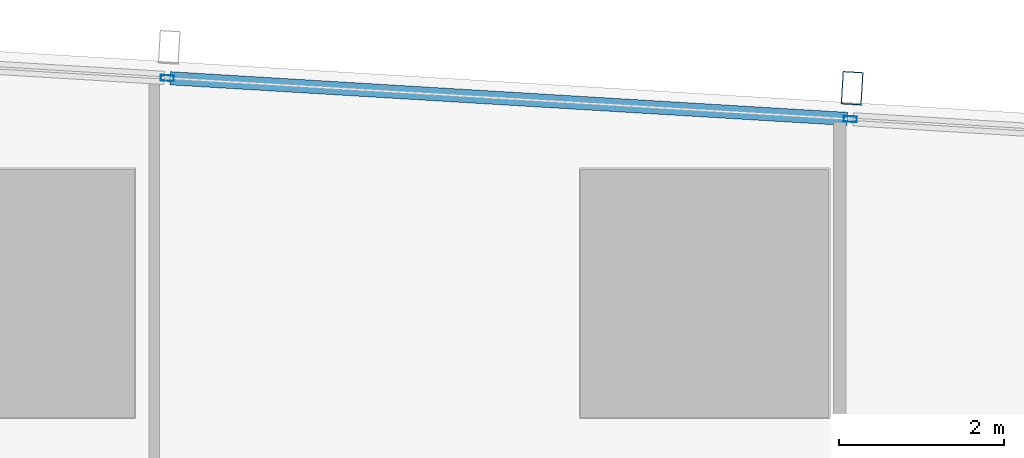
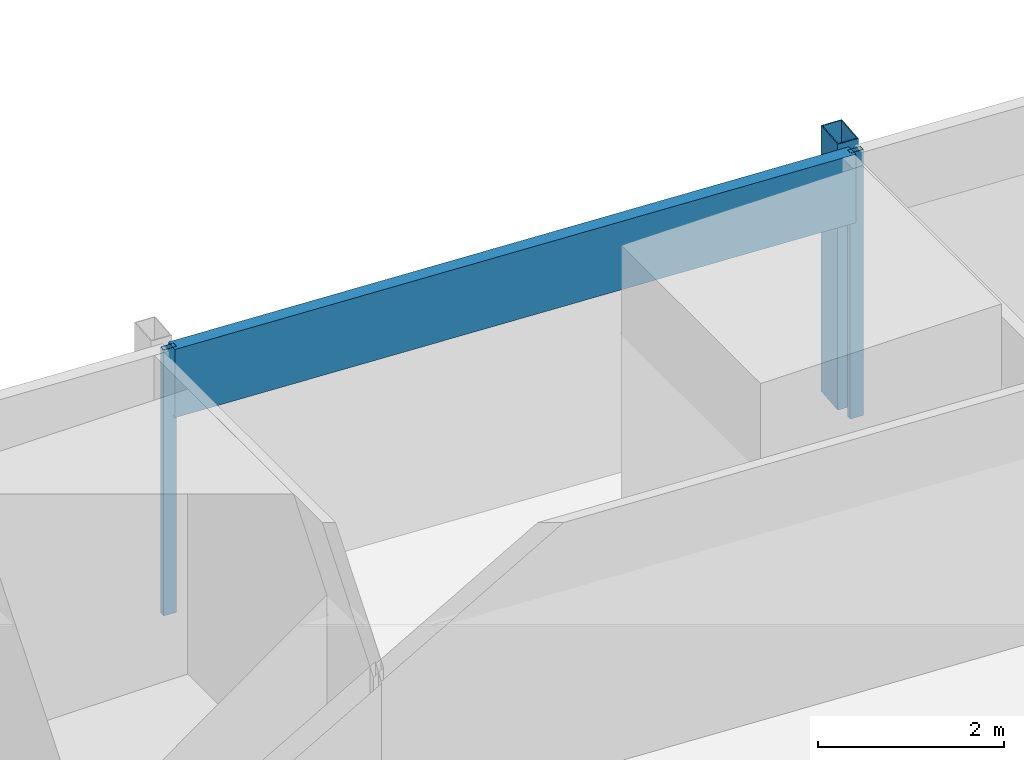
# One storey, part 19 of 39: 4 members, 1 element without a shape of its own.
"""IFC4 building model written with IfcOpenShell, lengths in metres."""

from ifc_helpers import new_model, si_unit, direction, frame, origin, origin_2d, place, context, subcontext, project, spatial, hollow_rectangle, extrude, material, material_profile, profile_set, type_object, element, aggregate, save


model = new_model("IFC4")

# Units and contexts
model_context = context("Model", 3, precision=1e-05, world=origin(), true_north=direction((0.0, 1.0)))
body_context = subcontext(model_context, "Body", "Model", "MODEL_VIEW")
ifc_project = project(units=[si_unit("LENGTHUNIT", "METRE"), si_unit("AREAUNIT", "SQUARE_METRE"), si_unit("VOLUMEUNIT", "CUBIC_METRE"), si_unit("PLANEANGLEUNIT", "RADIAN"), si_unit("MASSUNIT", "GRAM", prefix="KILO")], contexts=[model_context])

# Site, building, storey
site_placement = place(None, origin())
site = spatial("IfcSite", under=ifc_project, at=site_placement, CompositionType="ELEMENT")
building_placement = place(site_placement, origin())
building = spatial("IfcBuilding", under=site, at=building_placement, Name="Rekha Terrace Tower", CompositionType="ELEMENT")
storey_placement = place(building_placement, frame((0.0, 0.0, 155.300048828125)))
storey = spatial("IfcBuildingStorey", under=building, at=storey_placement, Name="L39", CompositionType="ELEMENT", Elevation=155.300048828125)

# Curtain wall, members
ifc_material_1 = material(Name="Aluminium framing", Category="aluminium")
curtain_wall_type = type_object("IfcCurtainWallType", Name="CW3 north unitised glazing", PredefinedType="USERDEFINED", material=ifc_material_1)
curtain_wall_placement = place(storey_placement, origin())
curtain_wall = element("IfcCurtainWall", 1, at=curtain_wall_placement, inside=storey, type_object=curtain_wall_type, Name="CW3 unitised curtain wall", ObjectType="UNITISED CURTAIN WALL", PredefinedType="USERDEFINED")
ifc_material_2 = material(Name="Steel S355 with fluorocarbon finish", Category="steel")
ifc_material_profile_1 = material_profile(ifc_material_2, hollow_rectangle(XDim=0.25, YDim=0.39990234375, WallThickness=0.012451171875, at=origin_2d()), Name="RHS400x250x12.5")
ifc_profile_set_1 = profile_set([ifc_material_profile_1], Name="Steel S355 with fluorocarbon finish")
member_type_1 = type_object("IfcMemberType", Name="BL1 facade blade RHS 400 x 250", PredefinedType="USERDEFINED", material=ifc_profile_set_1)
member_1_placement = place(storey_placement, frame((60.583740234375, 61.281005859375, 0.0), z_axis=(0.0, 0.0, 1.0), x_axis=(-0.998199123409, 0.059987582268, 0.0)))
member_1 = element("IfcMember", 2, at=member_1_placement, type_object=member_type_1, Name="Facade blade", ObjectType="FACADE BLADE", PredefinedType="USERDEFINED", context=body_context, shape_type="SweptSolid", body=[
    extrude(hollow_rectangle(XDim=0.25, YDim=0.39990234375, WallThickness=0.012451171875, at=origin_2d()), origin(), (0.0, 0.0, 1.0), 3.5),
])
ifc_material_3 = material(Name="Aluminium mullion section", Category="aluminium")
ifc_material_profile_2 = material_profile(ifc_material_3, hollow_rectangle(XDim=0.070068359375, YDim=0.159912109375, WallThickness=0.00390625, at=origin_2d()), Name="AL RHS 70x160")
ifc_profile_set_2 = profile_set([ifc_material_profile_2], Name="Aluminium mullion section")
member_type_2 = type_object("IfcMemberType", Name="CW3 mullion RHS 70 x 160", PredefinedType="MULLION", material=ifc_profile_set_2)
member_2_placement = place(storey_placement, frame((60.561279296875, 60.90673828125, 0.0), z_axis=(0.0, 0.0, 1.0), x_axis=(-0.059987926837, -0.998199102701, 0.0)))
member_2 = element("IfcMember", 3, at=member_2_placement, type_object=member_type_2, Name="CW3 mullion 2", PredefinedType="MULLION", context=body_context, shape_type="SweptSolid", body=[
    extrude(hollow_rectangle(XDim=0.070068359375, YDim=0.159912109375, WallThickness=0.00390625, at=origin_2d()), origin(), (0.0, 0.0, 1.0), 3.5),
])
member_3_placement = place(storey_placement, frame((52.299560546875, 61.4033203125, 0.0), z_axis=(0.0, 0.0, 1.0), x_axis=(-0.059987926837, -0.998199102701, 0.0)))
member_3 = element("IfcMember", 4, at=member_3_placement, type_object=member_type_2, Name="CW3 mullion 3", PredefinedType="MULLION", context=body_context, shape_type="SweptSolid", body=[
    extrude(hollow_rectangle(XDim=0.070068359375, YDim=0.159912109375, WallThickness=0.00390625, at=origin_2d()), origin(), (0.0, 0.0, 1.0), 3.5),
])
ifc_material_4 = material(Name="Insulated aluminium spandrel box", Category="aluminium")
ifc_material_profile_3 = material_profile(ifc_material_4, hollow_rectangle(XDim=0.159912109375, YDim=0.89990234375, WallThickness=0.0029296875, at=origin_2d()), Name="AL SPANDREL BOX 160x900")
ifc_profile_set_3 = profile_set([ifc_material_profile_3], Name="Insulated aluminium spandrel box")
member_type_3 = type_object("IfcMemberType", Name="CW3 spandrel transom 160 x 900", PredefinedType="USERDEFINED", material=ifc_profile_set_3)
member_4_placement = place(storey_placement, frame((60.5263671875, 60.908935546875, 3.050048828125), z_axis=(-0.998199826332, 0.059975884418, 0.0), x_axis=(-0.059975884418, -0.998199826332, 0.0)))
member_4 = element("IfcMember", 5, at=member_4_placement, type_object=member_type_3, Name="CW3 spandrel transom 2", ObjectType="TRANSOM", PredefinedType="USERDEFINED", context=body_context, shape_type="SweptSolid", body=[
    extrude(hollow_rectangle(XDim=0.159912109375, YDim=0.89990234375, WallThickness=0.0029296875, at=origin_2d()), origin(), (0.0, 0.0, 1.0), 8.20654296875),
])
aggregate(curtain_wall, [member_2, member_3, member_4, member_1])

save(model, "model.ifc")
